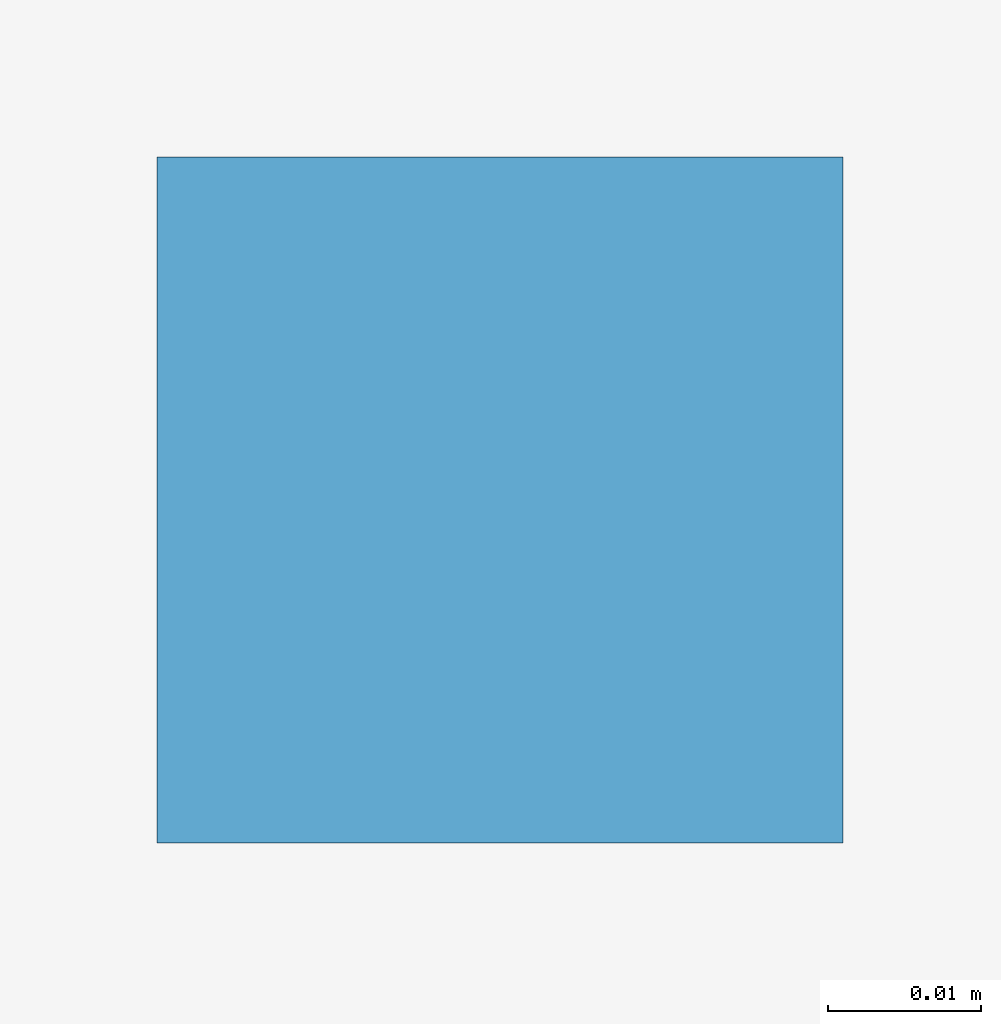
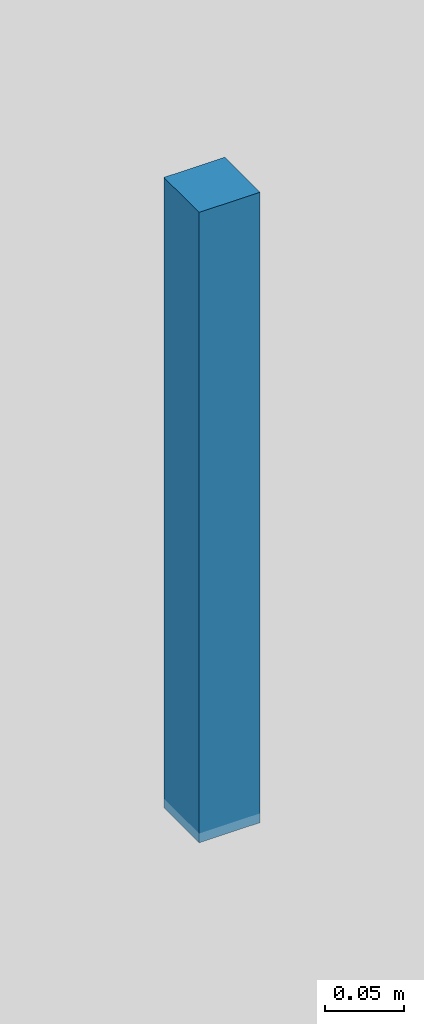
# One storey, part 63 of 85: 1 discrete accessory.
"""IFC4 building model written with IfcOpenShell, lengths in metres."""

from ifc_helpers import new_model, si_unit, derived_unit, direction, frame, origin, origin_2d, place, context, subcontext, project, spatial, rectangle, extrude, material, type_object, element, save


model = new_model("IFC4")

# Units and contexts
model_context = context("Model", 3, precision=1e-05, world=origin(), true_north=direction((0.0, 1.0)))
body_context = subcontext(model_context, "Body", "Model", "MODEL_VIEW")
ifc_project = project(units=[si_unit("LENGTHUNIT", "METRE"), si_unit("AREAUNIT", "SQUARE_METRE"), si_unit("VOLUMEUNIT", "CUBIC_METRE"), si_unit("PLANEANGLEUNIT", "RADIAN"), si_unit("MASSUNIT", "GRAM", prefix="KILO"), derived_unit("THERMALTRANSMITTANCEUNIT", [(si_unit("POWERUNIT", "WATT"), 1), (si_unit("LENGTHUNIT", "METRE"), -2), (si_unit("THERMODYNAMICTEMPERATUREUNIT", "KELVIN"), -1)])], contexts=[model_context])

# Site, building, storey
site_placement = place(None, origin())
site = spatial("IfcSite", under=ifc_project, at=site_placement, CompositionType="ELEMENT")
building_placement = place(site_placement, origin())
building = spatial("IfcBuilding", under=site, at=building_placement, Name="Braskholm Square Health Centre", CompositionType="ELEMENT")
storey_placement = place(building_placement, frame((0.0, 0.0, 9.300048828125)))
storey = spatial("IfcBuildingStorey", under=building, at=storey_placement, Name="L03", CompositionType="ELEMENT", Elevation=9.300048828125)

# Discrete accessory
ifc_material = material(Name="Steel ASTM A500 Grade C", Category="steel")
discrete_accessory_type = type_object("IfcDiscreteAccessoryType", Name="CeilingSuspensionBracket", PredefinedType="BRACKET", material=ifc_material)
discrete_accessory_placement = place(storey_placement, frame((35.199951171875, 91.75, 3.47216796875), z_axis=(0.0, 0.0, 1.0), x_axis=(1.0, 0.0, 0.0)))
element("IfcDiscreteAccessory", 1, at=discrete_accessory_placement, inside=storey, type_object=discrete_accessory_type, Name="Ceiling hanger bracket 0054", PredefinedType="BRACKET", context=body_context, shape_type="SweptSolid", body=[
    extrude(rectangle(XDim=0.044921875, YDim=0.044921875, at=origin_2d()), origin(), (0.0, 0.0, 1.0), 0.489990234375),
])

save(model, "model.ifc")
